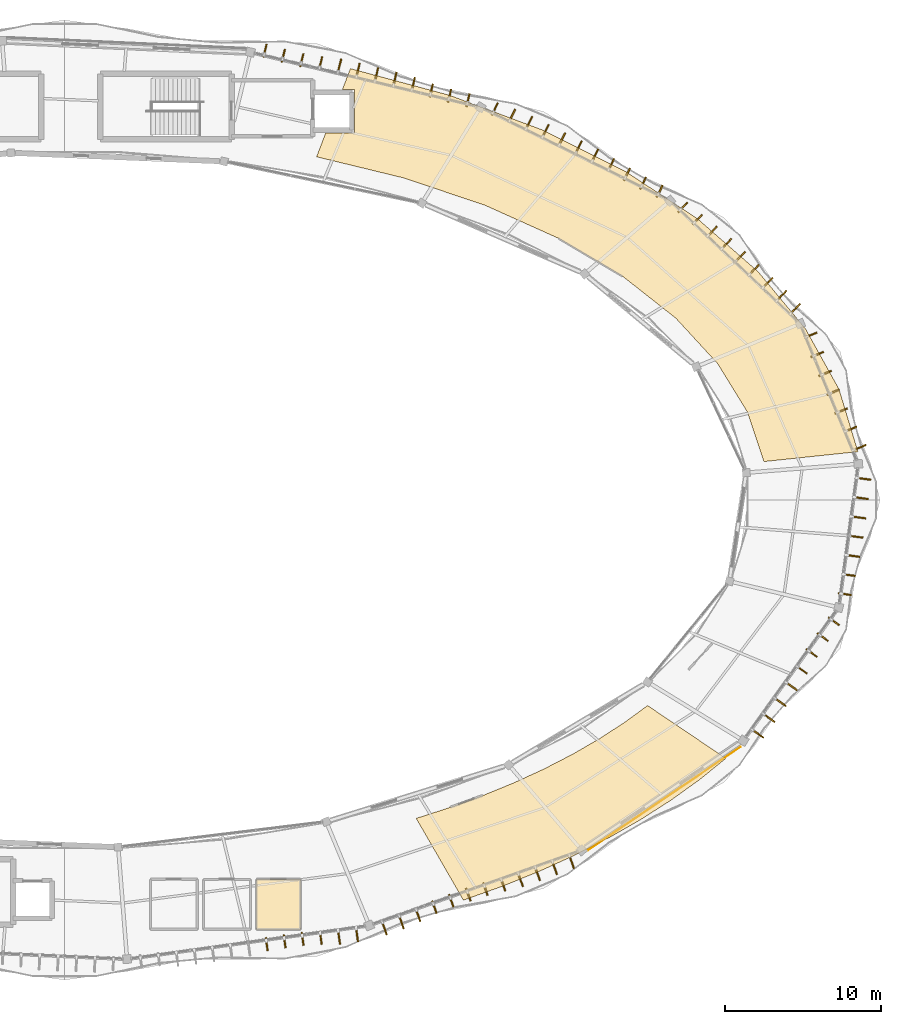
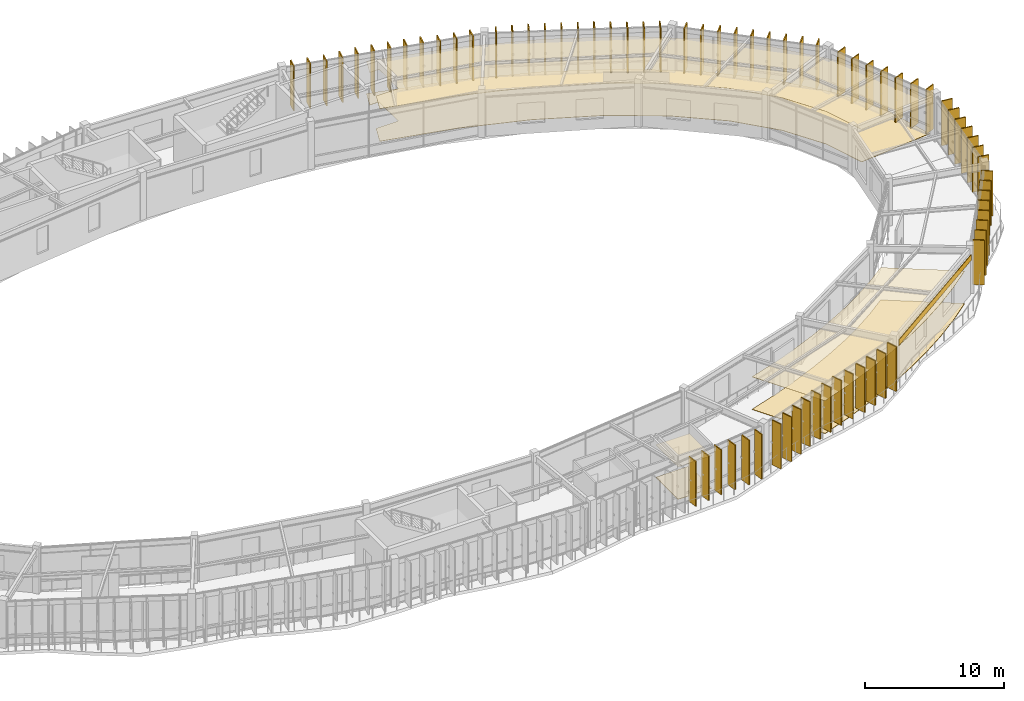
# One storey, part 79 of 79: 72 shading devices, 7 coverings.
"""IFC4 building model written with IfcOpenShell, lengths in metres."""

from ifc_helpers import new_model, si_unit, direction, frame, origin, origin_2d, place, context, subcontext, project, spatial, polyline, rectangle, outline, extrude, material, layer, layer_set, type_object, element, save


model = new_model("IFC4")

# Units and contexts
model_context = context("Model", 3, precision=1e-05, world=origin(), true_north=direction((0.0, 1.0)))
body_context = subcontext(model_context, "Body", "Model", "MODEL_VIEW")
ifc_project = project(units=[si_unit("LENGTHUNIT", "METRE"), si_unit("AREAUNIT", "SQUARE_METRE"), si_unit("VOLUMEUNIT", "CUBIC_METRE"), si_unit("PLANEANGLEUNIT", "RADIAN"), si_unit("MASSUNIT", "GRAM", prefix="KILO"), si_unit("THERMODYNAMICTEMPERATUREUNIT", "KELVIN"), si_unit("POWERUNIT", "WATT")], contexts=[model_context])

# Site, building, storey
site_placement = place(None, origin())
site = spatial("IfcSite", under=ifc_project, at=site_placement, CompositionType="ELEMENT")
building_placement = place(site_placement, origin())
building = spatial("IfcBuilding", under=site, at=building_placement, Name="Darbajah Civic Hall", CompositionType="ELEMENT")
storey_placement = place(building_placement, frame((0.0, 0.0, 22.199951171875)))
storey = spatial("IfcBuildingStorey", under=building, at=storey_placement, Name="L05", CompositionType="ELEMENT", Elevation=22.199951171875)

# Coverings
ifc_material_1 = material(Name="Honed Qatari Limestone Terrazzo", Category="masonry")
ifc_layer_1 = layer(ifc_material_1, 0.030029296875, Name="Honed Qatari Limestone Terrazzo")
ifc_layer_set_1 = layer_set([ifc_layer_1], Name="Honed Qatari Limestone Terrazzo")
covering_type_1 = type_object("IfcCoveringType", Name="Honed Qatari Limestone Terrazzo Flooring", PredefinedType="FLOORING", material=ifc_layer_set_1)
covering_1_placement = place(storey_placement, origin())
element("IfcCovering", 1, at=covering_1_placement, inside=storey, type_object=covering_type_1, Name="L05 stone terrazzo flooring L05-V1-01", PredefinedType="FLOORING", context=body_context, shape_type="SweptSolid", body=[
    extrude(outline(polyline([(114.64990234375, 64.16552734375), (117.117919921875, 65.0458984375), (119.495361328125, 66.005859375), (121.775390625, 67.042236328125), (123.9501953125, 68.15185546875), (126.0126953125, 69.331298828125), (127.956787109375, 70.576416015625), (129.775634765625, 71.88330078125), (131.4638671875, 73.247802734375), (126.447998046875, 76.631103515625), (124.9599609375, 75.54541015625), (123.356201171875, 74.505615234375), (121.642578125, 73.514892578125), (119.823974609375, 72.57666015625), (117.90673828125, 71.69384765625), (115.896728515625, 70.869140625), (113.800537109375, 70.10546875), (111.625, 69.405029296875), (114.64990234375, 64.16552734375)])), origin(), (0.0, 0.0, 1.0), 0.030029296875),
])
covering_2_placement = place(storey_placement, origin())
element("IfcCovering", 2, at=covering_2_placement, inside=storey, type_object=covering_type_1, Name="L05 stone terrazzo flooring L05-V1-03", PredefinedType="FLOORING", context=body_context, shape_type="SweptSolid", body=[
    extrude(outline(polyline([(133.9033203125, 92.26171875), (132.83544921875, 95.447509765625), (130.94287109375, 98.526611328125), (128.260986328125, 101.44140625), (124.840576171875, 104.13623046875), (120.74609375, 106.56103515625), (116.054443359375, 108.66943359375), (110.854736328125, 110.422119140625), (105.244384765625, 111.785888671875), (105.83349609375, 113.320068359375), (107.679931640625, 113.320068359375), (107.679931640625, 116.080078125), (106.892822265625, 116.080078125), (107.41259765625, 117.43408203125), (113.776123046875, 115.719970703125), (119.67431640625, 113.51708984375), (124.995849609375, 110.866943359375), (129.640380859375, 107.8193359375), (133.520263671875, 104.431884765625), (136.562255859375, 100.7685546875), (138.708984375, 96.898193359375), (139.920166015625, 92.89404296875), (133.9033203125, 92.26171875)])), origin(), (0.0, 0.0, 1.0), 0.030029296875),
])
covering_3_placement = place(storey_placement, origin())
element("IfcCovering", 3, at=covering_3_placement, inside=storey, type_object=covering_type_1, Name="L05 stone terrazzo flooring L05-WCA", PredefinedType="FLOORING", context=body_context, shape_type="SweptSolid", body=[
    extrude(outline(polyline([(101.39990234375, 62.300048828125), (104.199951171875, 62.300048828125), (104.199951171875, 65.5), (101.39990234375, 65.5), (101.39990234375, 62.300048828125)])), origin(), (0.0, 0.0, 1.0), 0.030029296875),
])
ifc_material_2 = material(Name="Qatari Desert Limestone Ashlar", Category="masonry")
ifc_layer_2 = layer(ifc_material_2, 0.044921875, Name="Qatari Desert Limestone Ashlar")
ifc_layer_set_2 = layer_set([ifc_layer_2], Name="Qatari Desert Limestone Ashlar")
covering_type_2 = type_object("IfcCoveringType", Name="Limestone Facade Cladding", PredefinedType="CLADDING", material=ifc_layer_set_2)
covering_4_placement = place(storey_placement, frame((0.0, 0.0, 3.02001953125)))
element("IfcCovering", 4, at=covering_4_placement, inside=storey, type_object=covering_type_2, Name="L05 stone frieze cladding EW-V1O-L05-17", PredefinedType="CLADDING", context=body_context, shape_type="SweptSolid", body=[
    extrude(outline(polyline([(122.593017578125, 67.365478515625), (132.3994140625, 74.007080078125), (132.424560546875, 73.969970703125), (122.6181640625, 67.328369140625), (122.593017578125, 67.365478515625)])), origin(), (0.0, 0.0, 1.0), 0.5),
])
ifc_material_3 = material(Name="Perforated Acoustic Gypsum Board")
ifc_layer_3 = layer(ifc_material_3, 0.02490234375, Name="Perforated Acoustic Gypsum Board")
ifc_layer_set_3 = layer_set([ifc_layer_3], Name="Perforated Acoustic Gypsum Board")
covering_type_3 = type_object("IfcCoveringType", Name="Perforated Acoustic Gypsum Ceiling", PredefinedType="CEILING", material=ifc_layer_set_3)
covering_5_placement = place(storey_placement, frame((0.0, 0.0, 2.85009765625)))
element("IfcCovering", 5, at=covering_5_placement, inside=storey, type_object=covering_type_3, Name="L05 acoustic suspended ceiling L05-V1-01", PredefinedType="CEILING", context=body_context, shape_type="SweptSolid", body=[
    extrude(outline(polyline([(114.64990234375, 64.16552734375), (117.117919921875, 65.0458984375), (119.495361328125, 66.005859375), (121.775390625, 67.042236328125), (123.9501953125, 68.15185546875), (126.0126953125, 69.331298828125), (127.956787109375, 70.576416015625), (129.775634765625, 71.88330078125), (131.4638671875, 73.247802734375), (126.447998046875, 76.631103515625), (124.9599609375, 75.54541015625), (123.356201171875, 74.505615234375), (121.642578125, 73.514892578125), (119.823974609375, 72.57666015625), (117.90673828125, 71.69384765625), (115.896728515625, 70.869140625), (113.800537109375, 70.10546875), (111.625, 69.405029296875), (114.64990234375, 64.16552734375)])), origin(), (0.0, 0.0, 1.0), 0.02490234375),
])
covering_6_placement = place(storey_placement, frame((0.0, 0.0, 2.85009765625)))
element("IfcCovering", 6, at=covering_6_placement, inside=storey, type_object=covering_type_3, Name="L05 acoustic suspended ceiling L05-V1-03", PredefinedType="CEILING", context=body_context, shape_type="SweptSolid", body=[
    extrude(outline(polyline([(133.9033203125, 92.26171875), (132.83544921875, 95.447509765625), (130.94287109375, 98.526611328125), (128.260986328125, 101.44140625), (124.840576171875, 104.13623046875), (120.74609375, 106.56103515625), (116.054443359375, 108.66943359375), (110.854736328125, 110.422119140625), (105.244384765625, 111.785888671875), (105.83349609375, 113.320068359375), (107.679931640625, 113.320068359375), (107.679931640625, 116.080078125), (106.892822265625, 116.080078125), (107.41259765625, 117.43408203125), (113.776123046875, 115.719970703125), (119.67431640625, 113.51708984375), (124.995849609375, 110.866943359375), (129.640380859375, 107.8193359375), (133.520263671875, 104.431884765625), (136.562255859375, 100.7685546875), (138.708984375, 96.898193359375), (139.920166015625, 92.89404296875), (133.9033203125, 92.26171875)])), origin(), (0.0, 0.0, 1.0), 0.02490234375),
])
covering_7_placement = place(storey_placement, frame((0.0, 0.0, 2.85009765625)))
element("IfcCovering", 7, at=covering_7_placement, inside=storey, type_object=covering_type_3, Name="L05 acoustic suspended ceiling L05-WCA", PredefinedType="CEILING", context=body_context, shape_type="SweptSolid", body=[
    extrude(outline(polyline([(101.39990234375, 62.300048828125), (104.199951171875, 62.300048828125), (104.199951171875, 65.5), (101.39990234375, 65.5), (101.39990234375, 62.300048828125)])), origin(), (0.0, 0.0, 1.0), 0.02490234375),
])

# Shading devices
ifc_material_4 = material(Name="Bronze Anodised Aluminium and Teak Composite", Category="aluminium")
shading_device_type = type_object("IfcShadingDeviceType", Name="Vertical Bronze Timber Shading Fin", PredefinedType="USERDEFINED", material=ifc_material_4)
for number, where, z_axis, x_axis, name in (
    (8, (140.05908203125, 93.171142578125, 0.0), (0.0, 0.0, 1.0), (0.923612143954, 0.383328328644, 0.0), "L05 vertical shading fin VF-00-1"),
    (9, (139.451904296875, 94.33642578125, 0.0), (0.0, 0.0, 1.0), (0.923612143954, 0.383328328644, 0.0), "L05 vertical shading fin VF-00-2"),
    (10, (138.8525390625, 95.505126953125, 0.0), (0.0, 0.0, 1.0), (0.923612143954, 0.383328328644, 0.0), "L05 vertical shading fin VF-00-3"),
    (11, (138.3251953125, 96.703369140625, 0.0), (0.0, 0.0, 1.0), (0.923612143954, 0.383328328644, 0.0), "L05 vertical shading fin VF-00-4"),
    (12, (137.8232421875, 97.912353515625, 0.0), (0.0, 0.0, 1.0), (0.923612143954, 0.383328328644, 0.0), "L05 vertical shading fin VF-00-5"),
    (13, (137.321533203125, 99.12158203125, 0.0), (0.0, 0.0, 1.0), (0.923612143954, 0.383328328644, 0.0), "L05 vertical shading fin VF-00-6"),
    (14, (136.899658203125, 100.36376953125, 0.0), (0.0, 0.0, 1.0), (0.923612143954, 0.383328328644, 0.0), "L05 vertical shading fin VF-00-7"),
    (15, (135.925048828125, 102.0654296875, 0.0), (0.0, 0.0, 1.0), (0.686453193248, 0.727173991201, 0.0), "L05 vertical shading fin VF-01-1"),
    (16, (135.047607421875, 102.902099609375, 0.0), (0.0, 0.0, 1.0), (0.686453193248, 0.727173991201, 0.0), "L05 vertical shading fin VF-01-2"),
    (17, (134.166015625, 103.734130859375, 0.0), (0.0, 0.0, 1.0), (0.686453193248, 0.727173991201, 0.0), "L05 vertical shading fin VF-01-3"),
    (18, (133.284423828125, 104.56640625, 0.0), (0.0, 0.0, 1.0), (0.686453193248, 0.727173991201, 0.0), "L05 vertical shading fin VF-01-4"),
    (19, (132.40283203125, 105.3984375, 0.0), (0.0, 0.0, 1.0), (0.686453193248, 0.727173991201, 0.0), "L05 vertical shading fin VF-01-5"),
    (20, (131.521240234375, 106.230712890625, 0.0), (0.0, 0.0, 1.0), (0.686453193248, 0.727173991201, 0.0), "L05 vertical shading fin VF-01-6"),
    (21, (130.599609375, 107.020263671875, 0.0), (0.0, 0.0, 1.0), (0.686453193248, 0.727173991201, 0.0), "L05 vertical shading fin VF-01-7"),
    (22, (129.639404296875, 107.769287109375, 0.0), (0.0, 0.0, 1.0), (0.686453193248, 0.727173991201, 0.0), "L05 vertical shading fin VF-01-8"),
    (23, (128.704833984375, 108.545166015625, 0.0), (0.0, 0.0, 1.0), (0.686453193248, 0.727173991201, 0.0), "L05 vertical shading fin VF-01-9"),
    (24, (127.220703125, 109.580322265625, 0.0), (0.0, 0.0, 1.0), (0.442914717678, 0.89656374724, 0.0), "L05 vertical shading fin VF-02-1"),
    (25, (126.1630859375, 110.102783203125, 0.0), (0.0, 0.0, 1.0), (0.442914717678, 0.89656374724, 0.0), "L05 vertical shading fin VF-02-2"),
    (26, (125.1259765625, 110.667724609375, 0.0), (0.0, 0.0, 1.0), (0.442914717678, 0.89656374724, 0.0), "L05 vertical shading fin VF-02-3"),
    (27, (124.114501953125, 111.28466796875, 0.0), (0.0, 0.0, 1.0), (0.442914717678, 0.89656374724, 0.0), "L05 vertical shading fin VF-02-4"),
    (28, (123.10009765625, 111.89501953125, 0.0), (0.0, 0.0, 1.0), (0.442914717678, 0.89656374724, 0.0), "L05 vertical shading fin VF-02-5"),
    (29, (122.042236328125, 112.41748046875, 0.0), (0.0, 0.0, 1.0), (0.442914717678, 0.89656374724, 0.0), "L05 vertical shading fin VF-02-6"),
    (30, (120.984375, 112.940185546875, 0.0), (0.0, 0.0, 1.0), (0.442914717678, 0.89656374724, 0.0), "L05 vertical shading fin VF-02-7"),
    (31, (119.926513671875, 113.462890625, 0.0), (0.0, 0.0, 1.0), (0.442914717678, 0.89656374724, 0.0), "L05 vertical shading fin VF-02-8"),
    (32, (118.868408203125, 113.9853515625, 0.0), (0.0, 0.0, 1.0), (0.442914717678, 0.89656374724, 0.0), "L05 vertical shading fin VF-02-9"),
    (33, (117.78076171875, 114.447509765625, 0.0), (0.0, 0.0, 1.0), (0.442914717678, 0.89656374724, 0.0), "L05 vertical shading fin VF-02-10"),
    (34, (116.6650390625, 114.85302734375, 0.0), (0.0, 0.0, 1.0), (0.442914717678, 0.89656374724, 0.0), "L05 vertical shading fin VF-02-11"),
    (35, (114.947998046875, 115.4169921875, 0.0), (0.0, 0.0, 1.0), (0.232936200179, 0.972492018808, 0.0), "L05 vertical shading fin VF-03-1"),
    (36, (113.764404296875, 115.700439453125, 0.0), (0.0, 0.0, 1.0), (0.232936200179, 0.972492018808, 0.0), "L05 vertical shading fin VF-03-2"),
    (37, (112.5927734375, 116.0341796875, 0.0), (0.0, 0.0, 1.0), (0.232936200179, 0.972492018808, 0.0), "L05 vertical shading fin VF-03-3"),
    (38, (111.441650390625, 116.452880859375, 0.0), (0.0, 0.0, 1.0), (0.232936200179, 0.972492018808, 0.0), "L05 vertical shading fin VF-03-4"),
    (39, (110.27197265625, 116.79443359375, 0.0), (0.0, 0.0, 1.0), (0.232936200179, 0.972492018808, 0.0), "L05 vertical shading fin VF-03-5"),
    (40, (109.08837890625, 117.077880859375, 0.0), (0.0, 0.0, 1.0), (0.232936200179, 0.972492018808, 0.0), "L05 vertical shading fin VF-03-6"),
    (41, (107.90478515625, 117.361572265625, 0.0), (0.0, 0.0, 1.0), (0.232936200179, 0.972492018808, 0.0), "L05 vertical shading fin VF-03-7"),
    (42, (106.72119140625, 117.64501953125, 0.0), (0.0, 0.0, 1.0), (0.232936200179, 0.972492018808, 0.0), "L05 vertical shading fin VF-03-8"),
    (43, (105.502685546875, 117.782958984375, 0.0), (0.0, 0.0, 1.0), (0.232936200179, 0.972492018808, 0.0), "L05 vertical shading fin VF-03-9"),
    (44, (104.2958984375, 117.968994140625, 0.0), (0.0, 0.0, 1.0), (0.232936200179, 0.972492018808, 0.0), "L05 vertical shading fin VF-03-10"),
    (45, (103.1123046875, 118.252685546875, 0.0), (0.0, 0.0, 1.0), (0.232936200179, 0.972492018808, 0.0), "L05 vertical shading fin VF-03-11"),
    (46, (101.939697265625, 118.582763671875, 0.0), (0.0, 0.0, 1.0), (0.232936200179, 0.972492018808, 0.0), "L05 vertical shading fin VF-03-12"),
    (47, (102.04931640625, 61.3486328125, 0.0), (0.0, 0.0, 1.0), (0.137617420457, -0.990485459553, 0.0), "L05 vertical shading fin VF-15-8"),
    (48, (103.1982421875, 61.525390625, 0.0), (0.0, 0.0, 1.0), (0.137617420457, -0.990485459553, 0.0), "L05 vertical shading fin VF-15-9"),
    (49, (104.349609375, 61.685302734375, 0.0), (0.0, 0.0, 1.0), (0.137617420457, -0.990485459553, 0.0), "L05 vertical shading fin VF-15-10"),
    (50, (105.5146484375, 61.7451171875, 0.0), (0.0, 0.0, 1.0), (0.137617420457, -0.990485459553, 0.0), "L05 vertical shading fin VF-15-11"),
    (51, (106.686279296875, 61.757568359375, 0.0), (0.0, 0.0, 1.0), (0.137617420457, -0.990485459553, 0.0), "L05 vertical shading fin VF-15-12"),
    (52, (107.837646484375, 61.91748046875, 0.0), (0.0, 0.0, 1.0), (0.137617420457, -0.990485459553, 0.0), "L05 vertical shading fin VF-15-13"),
    (53, (109.59521484375, 62.345947265625, 0.0), (0.0, 0.0, 1.0), (0.334135882844, -0.94252491309, 0.0), "L05 vertical shading fin VF-16-1"),
    (54, (110.685302734375, 62.732421875, 0.0), (0.0, 0.0, 1.0), (0.334135882844, -0.94252491309, 0.0), "L05 vertical shading fin VF-16-2"),
    (55, (111.74609375, 63.2021484375, 0.0), (0.0, 0.0, 1.0), (0.334135882844, -0.94252491309, 0.0), "L05 vertical shading fin VF-16-3"),
    (56, (112.7919921875, 63.713623046875, 0.0), (0.0, 0.0, 1.0), (0.334135882844, -0.94252491309, 0.0), "L05 vertical shading fin VF-16-4"),
    (57, (113.87255859375, 64.12744140625, 0.0), (0.0, 0.0, 1.0), (0.334135882844, -0.94252491309, 0.0), "L05 vertical shading fin VF-16-5"),
    (58, (114.962890625, 64.513916015625, 0.0), (0.0, 0.0, 1.0), (0.334135882844, -0.94252491309, 0.0), "L05 vertical shading fin VF-16-6"),
    (59, (116.060546875, 64.87939453125, 0.0), (0.0, 0.0, 1.0), (0.334135882844, -0.94252491309, 0.0), "L05 vertical shading fin VF-16-7"),
    (60, (117.189208984375, 65.15673828125, 0.0), (0.0, 0.0, 1.0), (0.334135882844, -0.94252491309, 0.0), "L05 vertical shading fin VF-16-8"),
    (61, (118.31689453125, 65.4375, 0.0), (0.0, 0.0, 1.0), (0.334135882844, -0.94252491309, 0.0), "L05 vertical shading fin VF-16-9"),
    (62, (119.4072265625, 65.823974609375, 0.0), (0.0, 0.0, 1.0), (0.334135882844, -0.94252491309, 0.0), "L05 vertical shading fin VF-16-10"),
    (63, (120.49755859375, 66.21044921875, 0.0), (0.0, 0.0, 1.0), (0.334135882844, -0.94252491309, 0.0), "L05 vertical shading fin VF-16-11"),
    (64, (121.587646484375, 66.596923828125, 0.0), (0.0, 0.0, 1.0), (0.334135882844, -0.94252491309, 0.0), "L05 vertical shading fin VF-16-12"),
    (65, (133.526123046875, 74.81640625, 0.0), (0.0, 0.0, 1.0), (0.812999149039, -0.582264874145, 0.0), "L05 vertical shading fin VF-18-1"),
    (66, (134.2490234375, 75.825927734375, 0.0), (0.0, 0.0, 1.0), (0.812999149039, -0.582264874145, 0.0), "L05 vertical shading fin VF-18-2"),
    (67, (134.971923828125, 76.835693359375, 0.0), (0.0, 0.0, 1.0), (0.812999149039, -0.582264874145, 0.0), "L05 vertical shading fin VF-18-3"),
    (68, (135.677734375, 77.857421875, 0.0), (0.0, 0.0, 1.0), (0.812999149039, -0.582264874145, 0.0), "L05 vertical shading fin VF-18-4"),
    (69, (136.310302734375, 78.931884765625, 0.0), (0.0, 0.0, 1.0), (0.812999149039, -0.582264874145, 0.0), "L05 vertical shading fin VF-18-5"),
    (70, (136.95458984375, 79.997802734375, 0.0), (0.0, 0.0, 1.0), (0.812999149039, -0.582264874145, 0.0), "L05 vertical shading fin VF-18-6"),
    (71, (137.66064453125, 81.01953125, 0.0), (0.0, 0.0, 1.0), (0.812999149039, -0.582264874145, 0.0), "L05 vertical shading fin VF-18-7"),
    (72, (138.383544921875, 82.029052734375, 0.0), (0.0, 0.0, 1.0), (0.812999149039, -0.582264874145, 0.0), "L05 vertical shading fin VF-18-8"),
    (73, (139.077392578125, 83.769775390625, 0.0), (0.0, 0.0, 1.0), (0.990865897387, -0.134850930274, 0.0), "L05 vertical shading fin VF-19-1"),
    (74, (139.341064453125, 84.992919921875, 0.0), (0.0, 0.0, 1.0), (0.990865897387, -0.134850930274, 0.0), "L05 vertical shading fin VF-19-2"),
    (75, (139.622802734375, 86.21337890625, 0.0), (0.0, 0.0, 1.0), (0.990865897387, -0.134850930274, 0.0), "L05 vertical shading fin VF-19-3"),
    (76, (139.8271484375, 87.444580078125, 0.0), (0.0, 0.0, 1.0), (0.990865897387, -0.134850930274, 0.0), "L05 vertical shading fin VF-19-4"),
    (77, (139.995361328125, 88.680419921875, 0.0), (0.0, 0.0, 1.0), (0.990865897387, -0.134850930274, 0.0), "L05 vertical shading fin VF-19-5"),
    (78, (140.16357421875, 89.91650390625, 0.0), (0.0, 0.0, 1.0), (0.990865897387, -0.134850930274, 0.0), "L05 vertical shading fin VF-19-6"),
    (79, (140.331787109375, 91.152587890625, 0.0), (0.0, 0.0, 1.0), (0.990865897387, -0.134850930274, 0.0), "L05 vertical shading fin VF-19-7"),
):
    element("IfcShadingDevice", number, at=place(storey_placement, frame(where, z_axis=z_axis, x_axis=x_axis)), inside=storey, type_object=shading_device_type, Name=name, ObjectType="VERTICAL FIN", PredefinedType="USERDEFINED", context=body_context, shape_type="SweptSolid", body=[
        extrude(rectangle(XDim=0.85009765625, YDim=0.090087890625, at=origin_2d()), origin(), (0.0, 0.0, 1.0), 3.919921875),
    ])

save(model, "model.ifc")
